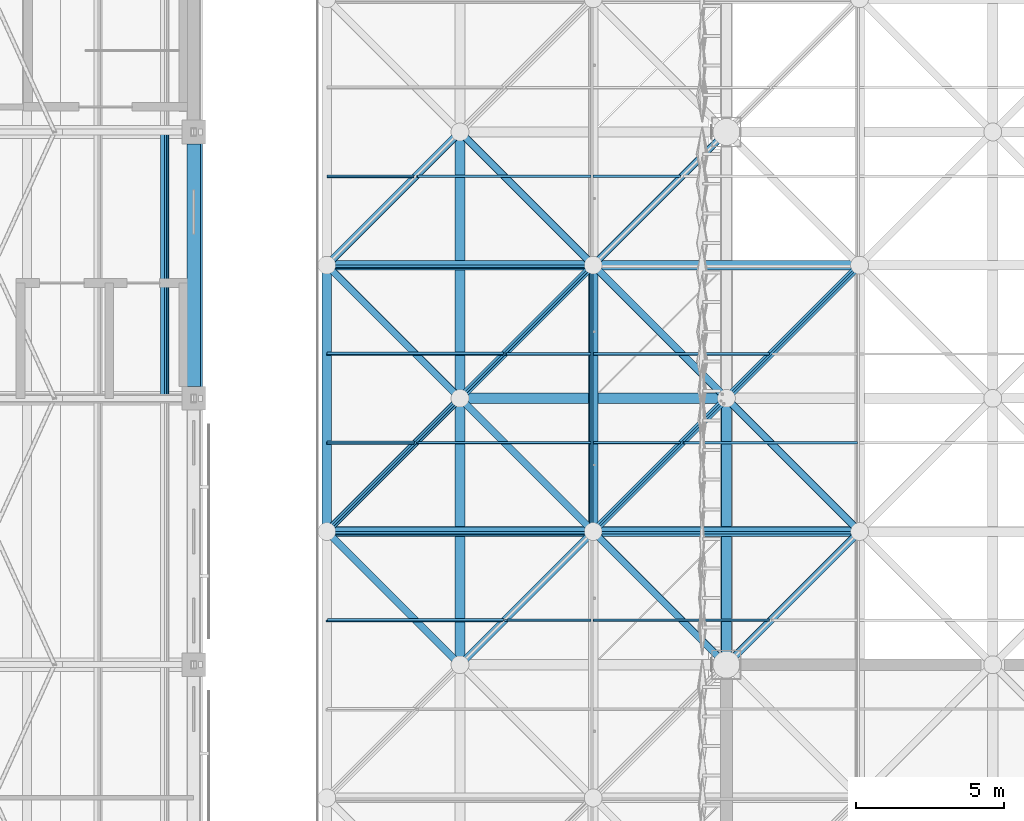
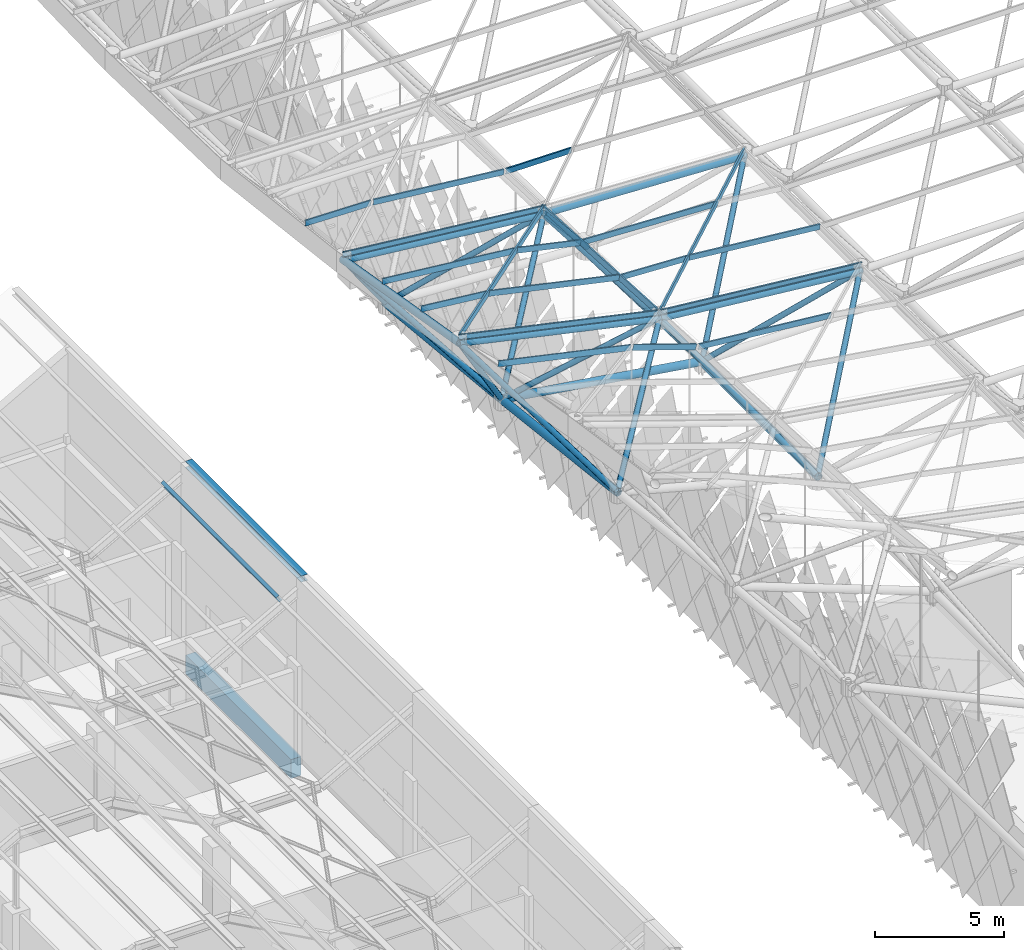
# One storey, part 74 of 437: 46 members, 1 beam.
"""IFC4 building model written with IfcOpenShell, lengths in metres."""

from ifc_helpers import new_model, si_unit, direction, frame, origin, origin_2d, place, context, subcontext, project, spatial, polyline, rectangle, hollow_circle, i_section, outline, extrude, material, material_profile, profile_set, type_object, element, save


model = new_model("IFC4")

# Units and contexts
model_context = context("Model", 3, precision=1e-05, world=origin(), true_north=direction((0.0, 1.0)))
body_context = subcontext(model_context, "Body", "Model", "MODEL_VIEW")
ifc_project = project(units=[si_unit("LENGTHUNIT", "METRE"), si_unit("AREAUNIT", "SQUARE_METRE"), si_unit("VOLUMEUNIT", "CUBIC_METRE"), si_unit("PLANEANGLEUNIT", "RADIAN"), si_unit("MASSUNIT", "GRAM", prefix="KILO")], contexts=[model_context])

# Site, building, storey
site_placement = place(None, origin())
site = spatial("IfcSite", under=ifc_project, at=site_placement, CompositionType="ELEMENT")
building_placement = place(site_placement, origin())
building = spatial("IfcBuilding", under=site, at=building_placement, Name="Opaline Strait Convention Centre", CompositionType="ELEMENT")
storey_placement = place(building_placement, frame((0.0, 0.0, 11.5)))
storey = spatial("IfcBuildingStorey", under=building, at=storey_placement, Name="L02", CompositionType="ELEMENT", Elevation=11.5)

# Member
ifc_material_1 = material(Name="Steel Q355B", Category="steel")
ifc_material_profile_1 = material_profile(ifc_material_1, i_section(OverallWidth=0.300048828125, OverallDepth=0.300048828125, WebThickness=0.010009765625, FlangeThickness=0.014892578125, FilletRadius=0.012939453125, at=origin_2d()), Name="HW 300x300x10x15")
ifc_profile_set_1 = profile_set([ifc_material_profile_1], Name="Steel Q355B")
member_type_1 = type_object("IfcMemberType", Name="Crest purlin HW 300x300x10x15", PredefinedType="PURLIN", material=ifc_profile_set_1)
member_1_placement = place(storey_placement, frame((81.14990234375, 81.0, 8.449951171875), z_axis=(0.0, 1.0, 0.0), x_axis=(-1.0, 0.0, 0.0)))
element("IfcMember", 1, at=member_1_placement, inside=storey, type_object=member_type_1, Name="RU1 purlin facet 17 line 1", PredefinedType="PURLIN", context=body_context, shape_type="SweptSolid", body=[
    extrude(i_section(OverallWidth=0.300048828125, OverallDepth=0.300048828125, WebThickness=0.010009765625, FlangeThickness=0.014892578125, FilletRadius=0.012939453125, at=origin_2d()), origin(), (0.0, 0.0, 1.0), 9.0),
])

# Beam
ifc_material_2 = material(Name="Concrete C35", Category="concrete")
ifc_material_profile_2 = material_profile(ifc_material_2, rectangle(XDim=0.449951171875, YDim=0.89990234375, at=origin_2d()), Name="RC 450x900")
ifc_profile_set_2 = profile_set([ifc_material_profile_2], Name="Concrete C35")
beam_type = type_object("IfcBeamType", Name="RC beam 450x900 C35", PredefinedType="BEAM", material=ifc_profile_set_2)
beam_placement = place(storey_placement, frame((81.0, 81.39990234375, -0.72998046875), z_axis=(0.0, 1.0, 0.0), x_axis=(-1.0, 0.0, 0.0)))
element("IfcBeam", 2, at=beam_placement, inside=storey, type_object=beam_type, Name="XB1 L02 81/81-81/90", PredefinedType="BEAM", context=body_context, shape_type="SweptSolid", body=[
    extrude(rectangle(XDim=0.449951171875, YDim=0.89990234375, at=origin_2d()), origin(), (0.0, 0.0, 1.0), 8.2001953125),
])

# Members
ifc_material_profile_3 = material_profile(ifc_material_1, outline(polyline([(-0.03759765625, -0.125), (0.03759765625, -0.125), (0.03759765625, -0.10498046875), (0.034912109375, -0.10498046875), (0.034912109375, -0.12255859375), (-0.034912109375, -0.12255859375), (-0.034912109375, 0.12255859375), (0.034912109375, 0.12255859375), (0.034912109375, 0.10498046875), (0.03759765625, 0.10498046875), (0.03759765625, 0.125), (-0.03759765625, 0.125), (-0.03759765625, -0.125)])), Name="C 250x75x20x2.5")
ifc_profile_set_3 = profile_set([ifc_material_profile_3], Name="Steel Q355B")
member_type_2 = type_object("IfcMemberType", Name="Roof purlin C 250x75x20x2.5", PredefinedType="PURLIN", material=ifc_profile_set_3)
member_2_placement = place(storey_placement, frame((91.550048828125, 73.5, 20.32421875), z_axis=(0.947065459404, 0.0, -0.321040520189), x_axis=(-0.018225296447, 0.99838731392, -0.053764393174)))
element("IfcMember", 3, at=member_2_placement, inside=storey, type_object=member_type_2, Name="EXB-RF-P-0-3-1a", PredefinedType="PURLIN", context=body_context, shape_type="SweptSolid", body=[
    extrude(outline(polyline([(-0.03759765625, -0.125), (0.03759765625, -0.125), (0.03759765625, -0.10498046875), (0.034912109375, -0.10498046875), (0.034912109375, -0.12255859375), (-0.034912109375, -0.12255859375), (-0.034912109375, 0.12255859375), (0.034912109375, 0.12255859375), (0.034912109375, 0.10498046875), (0.03759765625, 0.10498046875), (0.03759765625, 0.125), (-0.03759765625, 0.125), (-0.03759765625, -0.125)])), origin(), (0.0, 0.0, 1.0), 2.995361328125),
])
member_3_placement = place(storey_placement, frame((94.550048828125, 76.439697265625, 19.14990234375), z_axis=(-0.976700958406, 0.0, 0.214604841159), x_axis=(0.036376076933, -0.985529741381, 0.165553344517)))
element("IfcMember", 4, at=member_3_placement, inside=storey, type_object=member_type_2, Name="EXB-RF-E-0-3b", PredefinedType="PURLIN", context=body_context, shape_type="SweptSolid", body=[
    extrude(outline(polyline([(-0.03759765625, -0.125), (0.03759765625, -0.125), (0.03759765625, -0.10498046875), (0.034912109375, -0.10498046875), (0.034912109375, -0.12255859375), (-0.034912109375, -0.12255859375), (-0.034912109375, 0.12255859375), (0.034912109375, 0.12255859375), (0.034912109375, 0.10498046875), (0.03759765625, 0.10498046875), (0.03759765625, 0.125), (-0.03759765625, 0.125), (-0.03759765625, -0.125)])), origin(), (0.0, 0.0, 1.0), 9.317138671875),
])
member_4_placement = place(storey_placement, frame((85.5, 73.5, 21.656005859375), z_axis=(0.976700106525, 0.0, -0.214608718167), x_axis=(-0.037218458447, 0.984847127184, -0.169383949733)))
element("IfcMember", 5, at=member_4_placement, inside=storey, type_object=member_type_2, Name="EXB-RF-P-0-3-1b", PredefinedType="PURLIN", context=body_context, shape_type="SweptSolid", body=[
    extrude(outline(polyline([(-0.03759765625, -0.125), (0.03759765625, -0.125), (0.03759765625, -0.10498046875), (0.034912109375, -0.10498046875), (0.034912109375, -0.12255859375), (-0.034912109375, -0.12255859375), (-0.034912109375, 0.12255859375), (0.034912109375, 0.12255859375), (0.034912109375, 0.10498046875), (0.03759765625, 0.10498046875), (0.03759765625, 0.125), (-0.03759765625, 0.125), (-0.03759765625, -0.125)])), origin(), (0.0, 0.0, 1.0), 6.091796875),
])
member_5_placement = place(storey_placement, frame((103.550048828125, 76.453125, 18.25537109375), z_axis=(-0.99514863855, 0.0, 0.098382860253), x_axis=(0.005558054974, -0.998402930819, 0.056220065425)))
element("IfcMember", 6, at=member_5_placement, inside=storey, type_object=member_type_2, Name="EXB-RF-E-1-3b", PredefinedType="PURLIN", context=body_context, shape_type="SweptSolid", body=[
    extrude(outline(polyline([(-0.03759765625, -0.125), (0.03759765625, -0.125), (0.03759765625, -0.10498046875), (0.034912109375, -0.10498046875), (0.034912109375, -0.12255859375), (-0.034912109375, -0.12255859375), (-0.034912109375, 0.12255859375), (0.034912109375, 0.12255859375), (0.034912109375, 0.10498046875), (0.03759765625, 0.10498046875), (0.03759765625, 0.125), (-0.03759765625, 0.125), (-0.03759765625, -0.125)])), origin(), (0.0, 0.0, 1.0), 9.14453125),
])
member_6_placement = place(storey_placement, frame((94.5, 73.5, 19.31787109375), z_axis=(0.995150147401, 0.0, -0.098367596943), x_axis=(-0.0055842752, 0.99838731392, -0.056494134867)))
element("IfcMember", 7, at=member_6_placement, inside=storey, type_object=member_type_2, Name="EXB-RF-P-1-3-1b", PredefinedType="PURLIN", context=body_context, shape_type="SweptSolid", body=[
    extrude(outline(polyline([(-0.03759765625, -0.125), (0.03759765625, -0.125), (0.03759765625, -0.10498046875), (0.034912109375, -0.10498046875), (0.034912109375, -0.12255859375), (-0.034912109375, -0.12255859375), (-0.034912109375, 0.12255859375), (0.034912109375, 0.12255859375), (0.034912109375, 0.10498046875), (0.03759765625, 0.10498046875), (0.03759765625, 0.125), (-0.03759765625, 0.125), (-0.03759765625, -0.125)])), origin(), (0.0, 0.0, 1.0), 5.97900390625),
])
member_7_placement = place(storey_placement, frame((85.5, 76.5, 21.122802734375), z_axis=(0.694204223982, 0.694204223982, -0.190160434401), x_axis=(-0.71248371518, 0.700270764147, -0.044584890758)))
element("IfcMember", 8, at=member_7_placement, inside=storey, type_object=member_type_2, Name="EXB-RF-F-0-4", PredefinedType="PURLIN", context=body_context, shape_type="SweptSolid", body=[
    extrude(outline(polyline([(-0.03759765625, -0.125), (0.03759765625, -0.125), (0.03759765625, -0.10498046875), (0.034912109375, -0.10498046875), (0.034912109375, -0.12255859375), (-0.034912109375, -0.12255859375), (-0.034912109375, 0.12255859375), (0.034912109375, 0.12255859375), (0.034912109375, 0.10498046875), (0.03759765625, 0.10498046875), (0.03759765625, 0.125), (-0.03759765625, 0.125), (-0.03759765625, -0.125)])), origin(), (0.0, 0.0, 1.0), 12.964599609375),
])
member_8_placement = place(storey_placement, frame((94.434326171875, 85.550048828125, 18.673583984375), z_axis=(0.0, -0.998533323421, 0.054140576451), x_axis=(0.976767751484, -0.011602359597, -0.213986319453)))
element("IfcMember", 9, at=member_8_placement, inside=storey, type_object=member_type_2, Name="EXB-RF-E-0-4a", PredefinedType="PURLIN", context=body_context, shape_type="SweptSolid", body=[
    extrude(outline(polyline([(-0.03759765625, -0.125), (0.03759765625, -0.125), (0.03759765625, -0.10498046875), (0.034912109375, -0.10498046875), (0.034912109375, -0.12255859375), (-0.034912109375, -0.12255859375), (-0.034912109375, 0.12255859375), (0.034912109375, 0.12255859375), (0.034912109375, 0.10498046875), (0.03759765625, 0.10498046875), (0.03759765625, 0.125), (-0.03759765625, 0.125), (-0.03759765625, -0.125)])), origin(), (0.0, 0.0, 1.0), 9.113525390625),
])
member_9_placement = place(storey_placement, frame((88.550048828125, 79.5, 20.29443359375), z_axis=(0.976699349259, 0.0, -0.214612164511), x_axis=(-0.011616443677, 0.998534026345, -0.052866402077)))
element("IfcMember", 10, at=member_9_placement, inside=storey, type_object=member_type_2, Name="EXB-RF-P-0-4-0a", PredefinedType="PURLIN", context=body_context, shape_type="SweptSolid", body=[
    extrude(outline(polyline([(-0.03759765625, -0.125), (0.03759765625, -0.125), (0.03759765625, -0.10498046875), (0.034912109375, -0.10498046875), (0.034912109375, -0.12255859375), (-0.034912109375, -0.12255859375), (-0.034912109375, 0.12255859375), (0.034912109375, 0.12255859375), (0.034912109375, 0.10498046875), (0.03759765625, 0.10498046875), (0.03759765625, 0.125), (-0.03759765625, 0.125), (-0.03759765625, -0.125)])), origin(), (0.0, 0.0, 1.0), 5.989501953125),
])
member_10_placement = place(storey_placement, frame((91.550048828125, 82.5, 19.47265625), z_axis=(0.976698163467, 0.0, -0.214617560978), x_axis=(-0.011616735774, 0.998534026345, -0.052866337893)))
element("IfcMember", 11, at=member_10_placement, inside=storey, type_object=member_type_2, Name="EXB-RF-P-0-4-1a", PredefinedType="PURLIN", context=body_context, shape_type="SweptSolid", body=[
    extrude(outline(polyline([(-0.03759765625, -0.125), (0.03759765625, -0.125), (0.03759765625, -0.10498046875), (0.034912109375, -0.10498046875), (0.034912109375, -0.12255859375), (-0.034912109375, -0.12255859375), (-0.034912109375, 0.12255859375), (0.034912109375, 0.12255859375), (0.034912109375, 0.10498046875), (0.03759765625, 0.10498046875), (0.03759765625, 0.125), (-0.03759765625, 0.125), (-0.03759765625, -0.125)])), origin(), (0.0, 0.0, 1.0), 2.917724609375),
])
member_11_placement = place(storey_placement, frame((94.550048828125, 85.43994140625, 18.6650390625), z_axis=(-0.994612105595, 0.0, 0.10366657805), x_axis=(0.017254091808, -0.986051866452, 0.165541574785)))
element("IfcMember", 12, at=member_11_placement, inside=storey, type_object=member_type_2, Name="EXB-RF-E-0-4b", PredefinedType="PURLIN", context=body_context, shape_type="SweptSolid", body=[
    extrude(outline(polyline([(-0.03759765625, -0.125), (0.03759765625, -0.125), (0.03759765625, -0.10498046875), (0.034912109375, -0.10498046875), (0.034912109375, -0.12255859375), (-0.034912109375, -0.12255859375), (-0.034912109375, 0.12255859375), (0.034912109375, 0.12255859375), (0.034912109375, 0.10498046875), (0.03759765625, 0.10498046875), (0.03759765625, 0.125), (-0.03759765625, 0.125), (-0.03759765625, -0.125)])), origin(), (0.0, 0.0, 1.0), 9.1494140625),
])
member_12_placement = place(storey_placement, frame((85.5, 79.5, 20.6162109375), z_axis=(0.994615404266, 0.0, -0.103634924602), x_axis=(-0.017339598914, 0.985903618125, -0.166413323016)))
element("IfcMember", 13, at=member_12_placement, inside=storey, type_object=member_type_2, Name="EXB-RF-P-0-4-0b", PredefinedType="PURLIN", context=body_context, shape_type="SweptSolid", body=[
    extrude(outline(polyline([(-0.03759765625, -0.125), (0.03759765625, -0.125), (0.03759765625, -0.10498046875), (0.034912109375, -0.10498046875), (0.034912109375, -0.12255859375), (-0.034912109375, -0.12255859375), (-0.034912109375, 0.12255859375), (0.034912109375, 0.12255859375), (0.034912109375, 0.10498046875), (0.03759765625, 0.10498046875), (0.03759765625, 0.125), (-0.03759765625, 0.125), (-0.03759765625, -0.125)])), origin(), (0.0, 0.0, 1.0), 2.9658203125),
])
member_13_placement = place(storey_placement, frame((85.5, 82.5, 20.107177734375), z_axis=(0.994612712378, 0.0, -0.103660756204), x_axis=(-0.017343920909, 0.985903618125, -0.166412872625)))
element("IfcMember", 14, at=member_13_placement, inside=storey, type_object=member_type_2, Name="EXB-RF-P-0-4-1b", PredefinedType="PURLIN", context=body_context, shape_type="SweptSolid", body=[
    extrude(outline(polyline([(-0.03759765625, -0.125), (0.03759765625, -0.125), (0.03759765625, -0.10498046875), (0.034912109375, -0.10498046875), (0.034912109375, -0.12255859375), (-0.034912109375, -0.12255859375), (-0.034912109375, 0.12255859375), (0.034912109375, 0.12255859375), (0.034912109375, 0.10498046875), (0.03759765625, 0.10498046875), (0.03759765625, 0.125), (-0.03759765625, 0.125), (-0.03759765625, -0.125)])), origin(), (0.0, 0.0, 1.0), 5.982177734375),
])
member_14_placement = place(storey_placement, frame((94.5, 76.5, 19.144775390625), z_axis=(0.705385748856, 0.705385748856, -0.069727258812), x_axis=(-0.707423051329, 0.706758384602, -0.006724004996)))
element("IfcMember", 15, at=member_14_placement, inside=storey, type_object=member_type_2, Name="EXB-RF-F-1-4", PredefinedType="PURLIN", context=body_context, shape_type="SweptSolid", body=[
    extrude(outline(polyline([(-0.03759765625, -0.125), (0.03759765625, -0.125), (0.03759765625, -0.10498046875), (0.034912109375, -0.10498046875), (0.034912109375, -0.12255859375), (-0.034912109375, -0.12255859375), (-0.034912109375, 0.12255859375), (0.034912109375, 0.12255859375), (0.034912109375, 0.10498046875), (0.03759765625, 0.10498046875), (0.03759765625, 0.125), (-0.03759765625, 0.125), (-0.03759765625, -0.125)])), origin(), (0.0, 0.0, 1.0), 12.759033203125),
])
member_15_placement = place(storey_placement, frame((97.550048828125, 79.5, 18.845703125), z_axis=(0.995150180521, 0.0, -0.098367261879), x_axis=(0.0, 1.0, 0.0)))
element("IfcMember", 16, at=member_15_placement, inside=storey, type_object=member_type_2, Name="EXB-RF-P-1-4-0a", PredefinedType="PURLIN", context=body_context, shape_type="SweptSolid", body=[
    extrude(outline(polyline([(-0.03759765625, -0.125), (0.03759765625, -0.125), (0.03759765625, -0.10498046875), (0.034912109375, -0.10498046875), (0.034912109375, -0.12255859375), (-0.034912109375, -0.12255859375), (-0.034912109375, 0.12255859375), (0.034912109375, 0.12255859375), (0.034912109375, 0.10498046875), (0.03759765625, 0.10498046875), (0.03759765625, 0.125), (-0.03759765625, 0.125), (-0.03759765625, -0.125)])), origin(), (0.0, 0.0, 1.0), 5.89208984375),
])
member_16_placement = place(storey_placement, frame((94.5, 79.5, 18.984375), z_axis=(0.999002855694, 0.0, -0.04464632476), x_axis=(-0.002416598883, 0.998534026345, -0.054073637589)))
element("IfcMember", 17, at=member_16_placement, inside=storey, type_object=member_type_2, Name="EXB-RF-P-1-4-0b", PredefinedType="PURLIN", context=body_context, shape_type="SweptSolid", body=[
    extrude(outline(polyline([(-0.03759765625, -0.125), (0.03759765625, -0.125), (0.03759765625, -0.10498046875), (0.034912109375, -0.10498046875), (0.034912109375, -0.12255859375), (-0.034912109375, -0.12255859375), (-0.034912109375, 0.12255859375), (0.034912109375, 0.12255859375), (0.034912109375, 0.10498046875), (0.03759765625, 0.10498046875), (0.03759765625, 0.125), (-0.03759765625, 0.125), (-0.03759765625, -0.125)])), origin(), (0.0, 0.0, 1.0), 2.952880859375),
])
member_17_placement = place(storey_placement, frame((94.5, 82.5, 18.821533203125), z_axis=(0.999004978372, 0.0, -0.04459880253), x_axis=(-0.002414026618, 0.998534026345, -0.054073752484)))
element("IfcMember", 18, at=member_17_placement, inside=storey, type_object=member_type_2, Name="EXB-RF-P-1-4-1b", PredefinedType="PURLIN", context=body_context, shape_type="SweptSolid", body=[
    extrude(outline(polyline([(-0.03759765625, -0.125), (0.03759765625, -0.125), (0.03759765625, -0.10498046875), (0.034912109375, -0.10498046875), (0.034912109375, -0.12255859375), (-0.034912109375, -0.12255859375), (-0.034912109375, 0.12255859375), (0.034912109375, 0.12255859375), (0.034912109375, 0.10498046875), (0.03759765625, 0.10498046875), (0.03759765625, 0.125), (-0.03759765625, 0.125), (-0.03759765625, -0.125)])), origin(), (0.0, 0.0, 1.0), 5.955810546875),
])
member_18_placement = place(storey_placement, frame((88.550048828125, 88.5, 19.16748046875), z_axis=(0.994612272059, 0.0, -0.103664980927), x_axis=(-0.003872076456, 0.999302177023, -0.037150585738)))
element("IfcMember", 19, at=member_18_placement, inside=storey, type_object=member_type_2, Name="EXB-RF-P-0-5-0a", PredefinedType="PURLIN", context=body_context, shape_type="SweptSolid", body=[
    extrude(outline(polyline([(-0.03759765625, -0.125), (0.03759765625, -0.125), (0.03759765625, -0.10498046875), (0.034912109375, -0.10498046875), (0.034912109375, -0.12255859375), (-0.034912109375, -0.12255859375), (-0.034912109375, 0.12255859375), (0.034912109375, 0.12255859375), (0.034912109375, 0.10498046875), (0.03759765625, 0.10498046875), (0.03759765625, 0.125), (-0.03759765625, 0.125), (-0.03759765625, -0.125)])), origin(), (0.0, 0.0, 1.0), 5.894775390625),
])
member_19_placement = place(storey_placement, frame((85.5, 88.5, 19.23486328125), z_axis=(0.999782589814, 0.0, -0.020851213493), x_axis=(-0.002500518863, 0.992783318794, -0.119895910397)))
element("IfcMember", 20, at=member_19_placement, inside=storey, type_object=member_type_2, Name="EXB-RF-P-0-5-0b", PredefinedType="PURLIN", context=body_context, shape_type="SweptSolid", body=[
    extrude(outline(polyline([(-0.03759765625, -0.125), (0.03759765625, -0.125), (0.03759765625, -0.10498046875), (0.034912109375, -0.10498046875), (0.034912109375, -0.12255859375), (-0.034912109375, -0.12255859375), (-0.034912109375, 0.12255859375), (0.034912109375, 0.12255859375), (0.034912109375, 0.10498046875), (0.03759765625, 0.10498046875), (0.03759765625, 0.125), (-0.03759765625, 0.125), (-0.03759765625, -0.125)])), origin(), (0.0, 0.0, 1.0), 2.95068359375),
])
member_20_placement = place(storey_placement, frame((94.5, 88.5, 18.546875), z_axis=(0.999973480305, 0.0, -0.007282766388), x_axis=(-0.000272024632, 0.999302177023, -0.037350836662)))
element("IfcMember", 21, at=member_20_placement, inside=storey, type_object=member_type_2, Name="EXB-RF-P-1-5-0b", PredefinedType="PURLIN", context=body_context, shape_type="SweptSolid", body=[
    extrude(outline(polyline([(-0.03759765625, -0.125), (0.03759765625, -0.125), (0.03759765625, -0.10498046875), (0.034912109375, -0.10498046875), (0.034912109375, -0.12255859375), (-0.034912109375, -0.12255859375), (-0.034912109375, 0.12255859375), (0.034912109375, 0.12255859375), (0.034912109375, 0.10498046875), (0.03759765625, 0.10498046875), (0.03759765625, 0.125), (-0.03759765625, 0.125), (-0.03759765625, -0.125)])), origin(), (0.0, 0.0, 1.0), 2.949951171875),
])
ifc_material_profile_4 = material_profile(ifc_material_1, i_section(OverallWidth=0.14990234375, OverallDepth=0.300048828125, WebThickness=0.006591796875, FlangeThickness=0.009033203125, FilletRadius=0.012939453125, at=origin_2d()), Name="HN 300x150x6.5x9")
ifc_profile_set_4 = profile_set([ifc_material_profile_4], Name="Steel Q355B")
member_type_3 = type_object("IfcMemberType", Name="Roof purlin HN 300x150x6.5x9", PredefinedType="PURLIN", material=ifc_profile_set_4)
member_21_placement = place(storey_placement, frame((80.020751953125, 81.0, 7.86279296875), z_axis=(0.0, 1.0, 0.0), x_axis=(-0.874157310866, 0.0, -0.485642868639)))
element("IfcMember", 22, at=member_21_placement, inside=storey, type_object=member_type_3, Name="RU1 purlin facet 16 line 2", PredefinedType="PURLIN", context=body_context, shape_type="SweptSolid", body=[
    extrude(i_section(OverallWidth=0.14990234375, OverallDepth=0.300048828125, WebThickness=0.006591796875, FlangeThickness=0.009033203125, FilletRadius=0.012939453125, at=origin_2d()), origin(), (0.0, 0.0, 1.0), 9.0),
])
ifc_material_profile_5 = material_profile(ifc_material_1, hollow_circle(Radius=0.175537109375, WallThickness=0.01611328125, at=origin_2d()), Name="CHS 351x16")
ifc_profile_set_5 = profile_set([ifc_material_profile_5], Name="Steel Q355B")
member_type_4 = type_object("IfcMemberType", Name="Space frame bottom chord CHS 351x16", PredefinedType="CHORD", material=ifc_profile_set_5)
member_22_placement = place(storey_placement, frame((89.950439453125, 81.0, 13.862060546875), z_axis=(0.988864228986, 0.0, -0.148820484582), x_axis=(0.0, 1.0, 0.0)))
element("IfcMember", 23, at=member_22_placement, inside=storey, type_object=member_type_4, Name="EXB-RF-BX-0-4", PredefinedType="CHORD", context=body_context, shape_type="SweptSolid", body=[
    extrude(hollow_circle(Radius=0.175537109375, WallThickness=0.01611328125, at=origin_2d()), origin(), (0.0, 0.0, 1.0), 9.20166015625),
])
member_23_placement = place(storey_placement, frame((90.0, 71.950439453125, 14.916748046875), z_axis=(0.0, 0.993180584954, -0.116586129841), x_axis=(-1.0, 0.0, 0.0)))
element("IfcMember", 24, at=member_23_placement, inside=storey, type_object=member_type_4, Name="EXB-RF-BY-0-3", PredefinedType="CHORD", context=body_context, shape_type="SweptSolid", body=[
    extrude(hollow_circle(Radius=0.175537109375, WallThickness=0.01611328125, at=origin_2d()), origin(), (0.0, 0.0, 1.0), 9.16162109375),
])
member_24_placement = place(storey_placement, frame((90.0, 80.9501953125, 13.859375), z_axis=(0.0, 0.99509044308, -0.098969743306), x_axis=(-1.0, 0.0, 0.0)))
element("IfcMember", 25, at=member_24_placement, inside=storey, type_object=member_type_4, Name="EXB-RF-BY-0-4", PredefinedType="CHORD", context=body_context, shape_type="SweptSolid", body=[
    extrude(hollow_circle(Radius=0.175537109375, WallThickness=0.01611328125, at=origin_2d()), origin(), (0.0, 0.0, 1.0), 9.14453125),
])
member_25_placement = place(storey_placement, frame((99.0, 71.949951171875, 12.5), z_axis=(0.0, 1.0, 0.0), x_axis=(-1.0, 0.0, 0.0)))
element("IfcMember", 26, at=member_25_placement, inside=storey, type_object=member_type_4, Name="EXB-RF-BY-1-3", PredefinedType="CHORD", context=body_context, shape_type="SweptSolid", body=[
    extrude(hollow_circle(Radius=0.175537109375, WallThickness=0.01611328125, at=origin_2d()), origin(), (0.0, 0.0, 1.0), 9.10009765625),
])
ifc_material_profile_6 = material_profile(ifc_material_1, hollow_circle(Radius=0.16259765625, WallThickness=0.013916015625, at=origin_2d()), Name="CHS 325x14")
ifc_profile_set_6 = profile_set([ifc_material_profile_6], Name="Steel Q355B")
member_type_5 = type_object("IfcMemberType", Name="Space frame top chord CHS 325x14", PredefinedType="CHORD", material=ifc_profile_set_6)
member_26_placement = place(storey_placement, frame((85.5, 76.45068359375, 20.84716796875), z_axis=(0.0, 0.985901966255, -0.167323975973), x_axis=(-1.0, 0.0, 0.0)))
element("IfcMember", 27, at=member_26_placement, inside=storey, type_object=member_type_5, Name="EXB-RF-TY-0-4", PredefinedType="CHORD", context=body_context, shape_type="SweptSolid", body=[
    extrude(hollow_circle(Radius=0.16259765625, WallThickness=0.013916015625, at=origin_2d()), origin(), (0.0, 0.0, 1.0), 9.228759765625),
])
ifc_material_profile_7 = material_profile(ifc_material_1, hollow_circle(Radius=0.16259765625, WallThickness=0.02001953125, at=origin_2d()), Name="CHS 325x20")
ifc_profile_set_7 = profile_set([ifc_material_profile_7], Name="Steel Q355B")
member_type_6 = type_object("IfcMemberType", Name="Space frame top chord CHS 325x20", PredefinedType="CHORD", material=ifc_profile_set_7)
member_27_placement = place(storey_placement, frame((85.451171875, 76.5, 20.849365234375), z_axis=(0.976705368416, 0.0, -0.214584769515), x_axis=(0.0, 1.0, 0.0)))
element("IfcMember", 28, at=member_27_placement, inside=storey, type_object=member_type_6, Name="EXB-RF-TX-0-4", PredefinedType="CHORD", context=body_context, shape_type="SweptSolid", body=[
    extrude(hollow_circle(Radius=0.16259765625, WallThickness=0.02001953125, at=origin_2d()), origin(), (0.0, 0.0, 1.0), 9.314697265625),
])
member_28_placement = place(storey_placement, frame((94.4501953125, 76.5, 18.8662109375), z_axis=(0.995148121675, 0.0, -0.098388088334), x_axis=(0.0, 1.0, 0.0)))
element("IfcMember", 29, at=member_28_placement, inside=storey, type_object=member_type_6, Name="EXB-RF-TX-1-4", PredefinedType="CHORD", context=body_context, shape_type="SweptSolid", body=[
    extrude(hollow_circle(Radius=0.16259765625, WallThickness=0.02001953125, at=origin_2d()), origin(), (0.0, 0.0, 1.0), 9.14404296875),
])
member_29_placement = place(storey_placement, frame((85.4501953125, 85.5, 19.31640625), z_axis=(0.994614283282, 0.0, -0.10364568245), x_axis=(0.0, 1.0, 0.0)))
element("IfcMember", 30, at=member_29_placement, inside=storey, type_object=member_type_6, Name="EXB-RF-TX-0-5", PredefinedType="CHORD", context=body_context, shape_type="SweptSolid", body=[
    extrude(hollow_circle(Radius=0.16259765625, WallThickness=0.02001953125, at=origin_2d()), origin(), (0.0, 0.0, 1.0), 9.14892578125),
])
member_30_placement = place(storey_placement, frame((94.449951171875, 85.5, 18.37548828125), z_axis=(0.999005016003, 0.0, -0.044597959613), x_axis=(0.0, 1.0, 0.0)))
element("IfcMember", 31, at=member_30_placement, inside=storey, type_object=member_type_6, Name="EXB-RF-TX-1-5", PredefinedType="CHORD", context=body_context, shape_type="SweptSolid", body=[
    extrude(hollow_circle(Radius=0.16259765625, WallThickness=0.02001953125, at=origin_2d()), origin(), (0.0, 0.0, 1.0), 9.109130859375),
])
member_31_placement = place(storey_placement, frame((94.5, 76.4501953125, 18.864013671875), z_axis=(0.0, 0.99853316636, -0.054143473095), x_axis=(-1.0, 0.0, 0.0)))
element("IfcMember", 32, at=member_31_placement, inside=storey, type_object=member_type_6, Name="EXB-RF-TY-1-4", PredefinedType="CHORD", context=body_context, shape_type="SweptSolid", body=[
    extrude(hollow_circle(Radius=0.16259765625, WallThickness=0.02001953125, at=origin_2d()), origin(), (0.0, 0.0, 1.0), 9.113037109375),
])
ifc_material_profile_8 = material_profile(ifc_material_1, hollow_circle(Radius=0.12255859375, WallThickness=0.011962890625, at=origin_2d()), Name="CHS 245x12")
ifc_profile_set_8 = profile_set([ifc_material_profile_8], Name="Steel Q355B")
member_type_7 = type_object("IfcMemberType", Name="Space frame web CHS 245x12", PredefinedType="BRACE", material=ifc_profile_set_8)
member_32_placement = place(storey_placement, frame((85.47412109375, 76.52587890625, 20.872802734375), z_axis=(0.517411806028, -0.517411806028, -0.681593754347), x_axis=(0.707106781187, 0.707106781187, 0.0)))
element("IfcMember", 33, at=member_32_placement, inside=storey, type_object=member_type_7, Name="EXB-RF-W-0-3-01", PredefinedType="BRACE", context=body_context, shape_type="SweptSolid", body=[
    extrude(hollow_circle(Radius=0.12255859375, WallThickness=0.011962890625, at=origin_2d()), origin(), (0.0, 0.0, 1.0), 8.797119140625),
])
member_33_placement = place(storey_placement, frame((94.530029296875, 76.530029296875, 18.8876953125), z_axis=(-0.600769193716, -0.600769193716, -0.527401888283), x_axis=(0.707106781187, -0.707106781187, 0.0)))
element("IfcMember", 34, at=member_33_placement, inside=storey, type_object=member_type_7, Name="EXB-RF-W-0-3-11", PredefinedType="BRACE", context=body_context, shape_type="SweptSolid", body=[
    extrude(hollow_circle(Radius=0.12255859375, WallThickness=0.011962890625, at=origin_2d()), origin(), (0.0, 0.0, 1.0), 7.59033203125),
])
member_34_placement = place(storey_placement, frame((85.47607421875, 76.47607421875, 20.875732421875), z_axis=(0.47626636673, 0.47626636673, -0.739148629062), x_axis=(-0.707106781187, 0.707106781187, 0.0)))
element("IfcMember", 35, at=member_34_placement, inside=storey, type_object=member_type_7, Name="EXB-RF-W-0-4-00", PredefinedType="BRACE", context=body_context, shape_type="SweptSolid", body=[
    extrude(hollow_circle(Radius=0.12255859375, WallThickness=0.011962890625, at=origin_2d()), origin(), (0.0, 0.0, 1.0), 9.549072265625),
])
member_35_placement = place(storey_placement, frame((85.47314453125, 85.52685546875, 19.343994140625), z_axis=(0.53679140387, -0.53679140387, -0.650930086464), x_axis=(0.707106781187, 0.707106781187, 0.0)))
element("IfcMember", 36, at=member_35_placement, inside=storey, type_object=member_type_7, Name="EXB-RF-W-0-4-01", PredefinedType="BRACE", context=body_context, shape_type="SweptSolid", body=[
    extrude(hollow_circle(Radius=0.12255859375, WallThickness=0.011962890625, at=origin_2d()), origin(), (0.0, 0.0, 1.0), 8.483154296875),
])
member_36_placement = place(storey_placement, frame((94.52783203125, 76.47216796875, 18.89208984375), z_axis=(-0.555738694164, 0.555738694164, -0.618311416374), x_axis=(-0.707106781187, -0.707106781187, 0.0)))
element("IfcMember", 37, at=member_36_placement, inside=storey, type_object=member_type_7, Name="EXB-RF-W-0-4-10", PredefinedType="BRACE", context=body_context, shape_type="SweptSolid", body=[
    extrude(hollow_circle(Radius=0.12255859375, WallThickness=0.011962890625, at=origin_2d()), origin(), (0.0, 0.0, 1.0), 8.197509765625),
])
member_37_placement = place(storey_placement, frame((94.52880859375, 85.52880859375, 18.40234375), z_axis=(-0.576535854323, -0.576535854323, -0.578975662149), x_axis=(0.707106781187, -0.707106781187, 0.0)))
element("IfcMember", 38, at=member_37_placement, inside=storey, type_object=member_type_7, Name="EXB-RF-W-0-4-11", PredefinedType="BRACE", context=body_context, shape_type="SweptSolid", body=[
    extrude(hollow_circle(Radius=0.12255859375, WallThickness=0.011962890625, at=origin_2d()), origin(), (0.0, 0.0, 1.0), 7.9052734375),
])
member_38_placement = place(storey_placement, frame((85.47509765625, 85.47509765625, 19.3466796875), z_axis=(0.500458219713, 0.500458219713, -0.706458166237), x_axis=(-0.707106781187, 0.707106781187, 0.0)))
element("IfcMember", 39, at=member_38_placement, inside=storey, type_object=member_type_7, Name="EXB-RF-W-0-5-00", PredefinedType="BRACE", context=body_context, shape_type="SweptSolid", body=[
    extrude(hollow_circle(Radius=0.12255859375, WallThickness=0.011962890625, at=origin_2d()), origin(), (0.0, 0.0, 1.0), 9.09130859375),
])
member_39_placement = place(storey_placement, frame((94.52685546875, 85.47314453125, 18.40576171875), z_axis=(-0.538573162213, 0.538573162213, -0.647979859169), x_axis=(-0.707106781187, -0.707106781187, 0.0)))
element("IfcMember", 40, at=member_39_placement, inside=storey, type_object=member_type_7, Name="EXB-RF-W-0-5-10", PredefinedType="BRACE", context=body_context, shape_type="SweptSolid", body=[
    extrude(hollow_circle(Radius=0.12255859375, WallThickness=0.011962890625, at=origin_2d()), origin(), (0.0, 0.0, 1.0), 8.455078125),
])
member_40_placement = place(storey_placement, frame((94.47509765625, 76.52490234375, 18.896484375), z_axis=(0.50009756062, -0.50009756062, -0.706968782708), x_axis=(0.707106781187, 0.707106781187, 0.0)))
element("IfcMember", 41, at=member_40_placement, inside=storey, type_object=member_type_7, Name="EXB-RF-W-1-3-01", PredefinedType="BRACE", context=body_context, shape_type="SweptSolid", body=[
    extrude(hollow_circle(Radius=0.12255859375, WallThickness=0.011962890625, at=origin_2d()), origin(), (0.0, 0.0, 1.0), 9.097900390625),
])
member_41_placement = place(storey_placement, frame((103.52685546875, 76.52685546875, 18.004150390625), z_axis=(-0.536178220346, -0.536178220346, -0.6519400525), x_axis=(0.707106781187, -0.707106781187, 0.0)))
element("IfcMember", 42, at=member_41_placement, inside=storey, type_object=member_type_7, Name="EXB-RF-W-1-3-11", PredefinedType="BRACE", context=body_context, shape_type="SweptSolid", body=[
    extrude(hollow_circle(Radius=0.12255859375, WallThickness=0.011962890625, at=origin_2d()), origin(), (0.0, 0.0, 1.0), 8.492919921875),
])
member_42_placement = place(storey_placement, frame((94.47509765625, 76.47509765625, 18.896484375), z_axis=(0.50009756062, 0.50009756062, -0.706968782708), x_axis=(-0.707106781187, 0.707106781187, 0.0)))
element("IfcMember", 43, at=member_42_placement, inside=storey, type_object=member_type_7, Name="EXB-RF-W-1-4-00", PredefinedType="BRACE", context=body_context, shape_type="SweptSolid", body=[
    extrude(hollow_circle(Radius=0.12255859375, WallThickness=0.011962890625, at=origin_2d()), origin(), (0.0, 0.0, 1.0), 9.097900390625),
])
member_43_placement = place(storey_placement, frame((94.47412109375, 85.52587890625, 18.4072265625), z_axis=(0.519617871627, -0.519617871627, -0.678228969429), x_axis=(0.707106781187, 0.707106781187, 0.0)))
element("IfcMember", 44, at=member_43_placement, inside=storey, type_object=member_type_7, Name="EXB-RF-W-1-4-01", PredefinedType="BRACE", context=body_context, shape_type="SweptSolid", body=[
    extrude(hollow_circle(Radius=0.12255859375, WallThickness=0.011962890625, at=origin_2d()), origin(), (0.0, 0.0, 1.0), 8.759765625),
])
for number, where, z_axis, x_axis, name in (
    (45, (103.52685546875, 76.47314453125, 18.004150390625), (-0.536178220346, 0.536178220346, -0.6519400525), (-0.707106781187, -0.707106781187, 0.0), "EXB-RF-W-1-4-10"),
    (46, (103.52685546875, 85.52685546875, 18.004150390625), (-0.536178220346, -0.536178220346, -0.6519400525), (0.707106781187, -0.707106781187, 0.0), "EXB-RF-W-1-4-11"),
):
    element("IfcMember", number, at=place(storey_placement, frame(where, z_axis=z_axis, x_axis=x_axis)), inside=storey, type_object=member_type_7, Name=name, PredefinedType="BRACE", context=body_context, shape_type="SweptSolid", body=[
        extrude(hollow_circle(Radius=0.12255859375, WallThickness=0.011962890625, at=origin_2d()), origin(), (0.0, 0.0, 1.0), 8.492919921875),
    ])
member_44_placement = place(storey_placement, frame((94.47412109375, 85.47412109375, 18.4072265625), z_axis=(0.519617871627, 0.519617871627, -0.678228969429), x_axis=(-0.707106781187, 0.707106781187, 0.0)))
element("IfcMember", 47, at=member_44_placement, inside=storey, type_object=member_type_7, Name="EXB-RF-W-1-5-00", PredefinedType="BRACE", context=body_context, shape_type="SweptSolid", body=[
    extrude(hollow_circle(Radius=0.12255859375, WallThickness=0.011962890625, at=origin_2d()), origin(), (0.0, 0.0, 1.0), 8.759765625),
])

save(model, "model.ifc")
